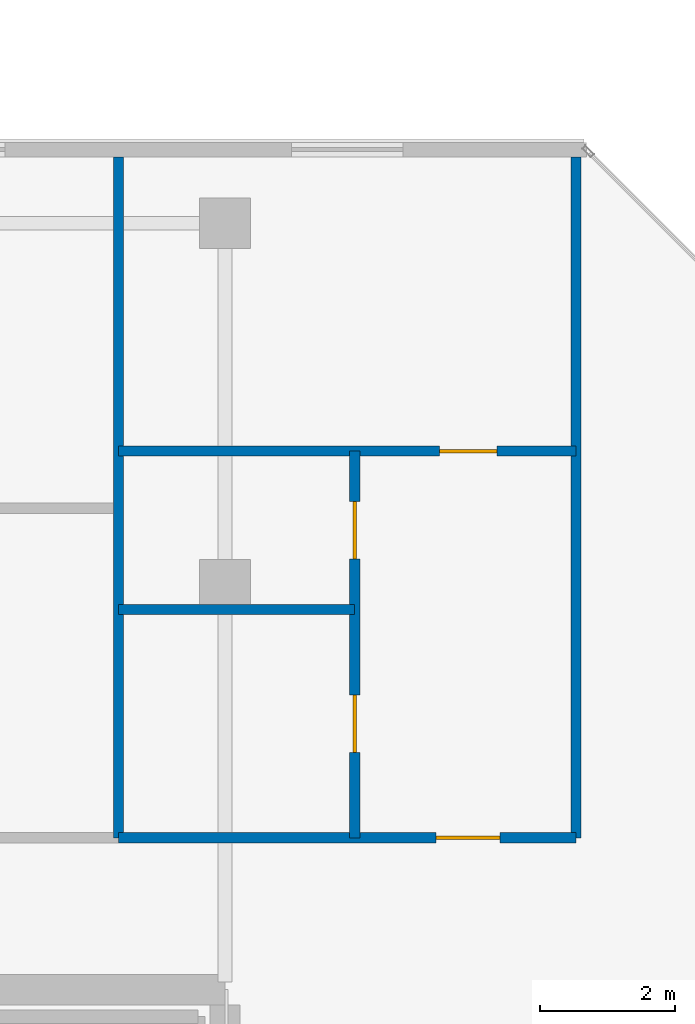
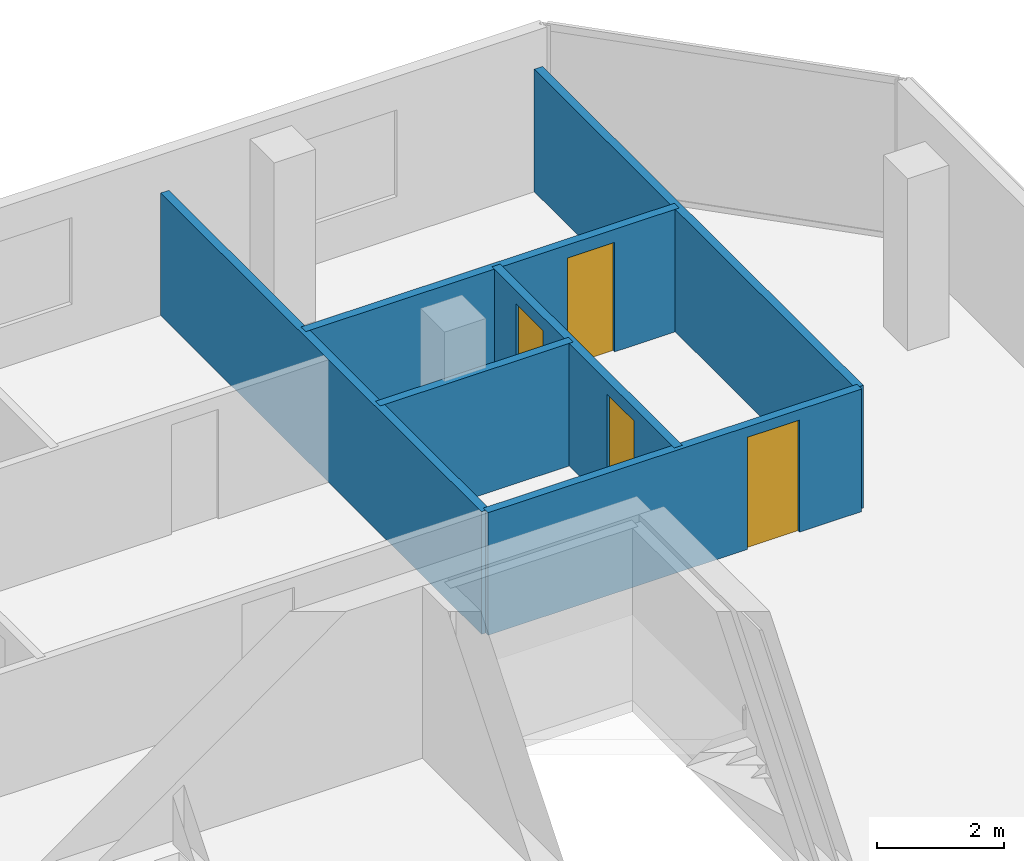
# One storey, part 23 of 28: 6 walls, 4 doors, 4 openings.
"""IFC4 building model written with IfcOpenShell, lengths in metres."""

import ifcopenshell
import ifcopenshell.guid

model = None  # the IFC model being written
_history = None  # IfcOwnerHistory: only IFC2X3 demands one
_inside = {}  # id of a spatial element -> (the spatial element, [elements in it])
_under = {}  # id of a project, library or spatial element -> (it, [spatial elements below it])
_declared = {}  # id of a project -> (the project, [libraries it declares])
_typed = {}  # id of a type object -> (the type object, [elements of that type])
_made_of = {}  # id of a material, layer set ... -> (it, [elements and type objects made of it])


def new_model(schema):
    """Start an empty IFC model of exactly this schema.

    Asked for "IFC4X3", IfcOpenShell would pick the latest addendum, in which some entities
    have other attributes; the version numbers below select the first issue.
    IFC2X3 requires an IfcOwnerHistory on every rooted entity: one is made here for all.
    """
    global model, _history
    if schema == "IFC4X3":
        model = ifcopenshell.file(schema_version=(4, 3, 0, 0))
    else:
        model = ifcopenshell.file(schema=schema)
    _inside.clear()
    _under.clear()
    _declared.clear()
    _typed.clear()
    _made_of.clear()
    _history = None
    if model.schema == "IFC2X3":
        org = make("IfcOrganization", Name="unknown")
        user = make(
            "IfcPersonAndOrganization",
            ThePerson=make("IfcPerson", FamilyName="unknown"),
            TheOrganization=org,
        )
        app = make(
            "IfcApplication",
            ApplicationDeveloper=org,
            Version="unknown",
            ApplicationFullName="unknown",
            ApplicationIdentifier="unknown",
        )
        _history = make(
            "IfcOwnerHistory",
            OwningUser=user,
            OwningApplication=app,
            ChangeAction="ADDED",
            CreationDate=0,
        )
    return model


def make(cls, **values):
    """One entity of the class cls with the attributes given. An attribute that is None is left unset."""
    return model.create_entity(
        cls, **{name: value for name, value in values.items() if value is not None}
    )


def rooted(cls, **values):
    """An entity with a GlobalId (a new one), such as an element, a storey or a relation."""
    return make(cls, GlobalId=ifcopenshell.guid.new(), OwnerHistory=_history, **values)


def si_unit(unit_type, name, prefix=None):
    """IfcSIUnit, for example si_unit("LENGTHUNIT", "METRE", prefix="MILLI")."""
    return make("IfcSIUnit", UnitType=unit_type, Prefix=prefix, Name=name)


def assignment(units):
    """IfcUnitAssignment: the units of a project."""
    return None if units is None else make("IfcUnitAssignment", Units=units)


def point(xyz):
    """IfcCartesianPoint."""
    return None if xyz is None else make("IfcCartesianPoint", Coordinates=xyz)


def direction(xyz):
    """IfcDirection."""
    return None if xyz is None else make("IfcDirection", DirectionRatios=xyz)


def frame(location, z_axis=None, x_axis=None):
    """IfcAxis2Placement3D, a coordinate frame: its origin and axes. An axis left out is left unset."""
    return make(
        "IfcAxis2Placement3D",
        Location=point(location),
        Axis=direction(z_axis),
        RefDirection=direction(x_axis),
    )


def frame_2d(location, x_axis=None):
    """IfcAxis2Placement2D, a coordinate frame in the plane: its origin and x axis."""
    return make(
        "IfcAxis2Placement2D", Location=point(location), RefDirection=direction(x_axis)
    )


def origin():
    """The frame at (0, 0, 0) with its axes left unset."""
    return frame((0.0, 0.0, 0.0))


def place(relative_to, where):
    """IfcLocalPlacement: puts the frame where relative to a parent placement (None: the world)."""
    return make(
        "IfcLocalPlacement", PlacementRelTo=relative_to, RelativePlacement=where
    )


def context(
    kind, dimensions, precision=None, world=None, true_north=None, identifier=None
):
    """IfcGeometricRepresentationContext, for example the 3D "Model" context."""
    return make(
        "IfcGeometricRepresentationContext",
        ContextIdentifier=identifier,
        ContextType=kind,
        CoordinateSpaceDimension=dimensions,
        Precision=precision,
        WorldCoordinateSystem=world,
        TrueNorth=true_north,
    )


def subcontext(parent, identifier, kind, view, scale=None):
    """IfcGeometricRepresentationSubContext, for example "Body" below "Model"."""
    return make(
        "IfcGeometricRepresentationSubContext",
        ContextIdentifier=identifier,
        ContextType=kind,
        ParentContext=parent,
        TargetScale=scale,
        TargetView=view,
    )


def project(units=None, contexts=None):
    """IfcProject with its units and contexts."""
    return rooted(
        "IfcProject",
        Name="project",
        RepresentationContexts=contexts,
        UnitsInContext=assignment(units),
    )


def spatial(cls, under=None, at=None, **own):
    """A site, building, storey or space (cls), placed at a placement, below another one or the project."""
    s = rooted(cls, ObjectPlacement=at, **own)
    if under is not None:
        _under.setdefault(under.id(), (under, []))[1].append(s)
    return s


def profile(cls, at=None, kind="AREA", **sizes):
    """A parametric profile (cls). Its sizes go by their IFC names, for example OverallWidth=200.0."""
    return make(cls, ProfileType=kind, Position=at, **sizes)


def rectangle(**sizes):
    """IfcRectangleProfileDef."""
    return profile("IfcRectangleProfileDef", **sizes)


def extrude(swept, where, along, depth):
    """IfcExtrudedAreaSolid: the profile swept, set in the frame where, extruded along a direction by depth."""
    return make(
        "IfcExtrudedAreaSolid",
        SweptArea=swept,
        Position=where,
        ExtrudedDirection=direction(along),
        Depth=depth,
    )


def shape(context_of_items, identifier, shape_type, items):
    """IfcShapeRepresentation: the items that make up one representation, for example the "Body"."""
    return make(
        "IfcShapeRepresentation",
        ContextOfItems=context_of_items,
        RepresentationIdentifier=identifier,
        RepresentationType=shape_type,
        Items=items,
    )


def material(Name=None, Category=None):
    """IfcMaterial."""
    return make("IfcMaterial", Name=Name, Category=Category)


def layer(
    of_material, thickness, ventilated=None, Name=None, Category=None, Priority=None
):
    """IfcMaterialLayer: one layer of a wall or slab, of a material (None: an air gap)."""
    return make(
        "IfcMaterialLayer",
        Material=of_material,
        LayerThickness=thickness,
        IsVentilated=ventilated,
        Name=Name,
        Category=Category,
        Priority=Priority,
    )


def layer_set(layers, Name=None):
    """IfcMaterialLayerSet."""
    return make("IfcMaterialLayerSet", MaterialLayers=layers, LayerSetName=Name)


def made_of(thing, what):
    """Note that an element or type object is made of a material, layer set ...; save() writes the relation."""
    if what is not None:
        _made_of.setdefault(what.id(), (what, []))[1].append(thing)
    return thing


def type_object(cls, material=None, **own):
    """A type object (cls), such as IfcWallType, which elements share."""
    return made_of(rooted(cls, **own), material)


def element(
    cls,
    number,
    at=None,
    inside=None,
    cuts=None,
    type_object=None,
    material=None,
    context=None,
    identifier="Body",
    shape_type=None,
    held_by="IfcProductDefinitionShape",
    body=None,
    shapes=None,
    **own,
):
    """One element of the class cls, such as IfcWall. Its Tag is "e" and its number.

    at: its placement. inside: the storey or other place that contains it. cuts: it is an
    opening in that element (IfcRelVoidsElement). A single representation is given by context,
    identifier, shape_type and body (its items); several are given by shapes. held_by: the class
    of the entity that holds the representations. save() writes the other relations.
    """
    e = rooted(cls, Tag="e%d" % number, ObjectPlacement=at, **own)
    if body is not None:
        shapes = [shape(context, identifier, shape_type, body)]
    if shapes is not None:
        e.Representation = make(held_by, Representations=shapes)
    if inside is not None:
        _inside.setdefault(inside.id(), (inside, []))[1].append(e)
    if cuts is not None:
        rooted(
            "IfcRelVoidsElement", RelatingBuildingElement=cuts, RelatedOpeningElement=e
        )
    if type_object is not None:
        _typed.setdefault(type_object.id(), (type_object, []))[1].append(e)
    return made_of(e, material)


def fill(opening, filler):
    """IfcRelFillsElement: the door or window that sits in an opening."""
    return rooted(
        "IfcRelFillsElement",
        RelatingOpeningElement=opening,
        RelatedBuildingElement=filler,
    )


def aggregate(whole, parts):
    """IfcRelAggregates: a whole, such as a stair, and the parts it consists of."""
    return rooted("IfcRelAggregates", RelatingObject=whole, RelatedObjects=parts)


def save(model, path):
    """Write the relations noted so far, then the file.

    IfcRelAggregates (storeys below a building ...), IfcRelContainedInSpatialStructure (elements
    in a storey), IfcRelDefinesByType, IfcRelAssociatesMaterial and IfcRelDeclares: one each for
    every whole, place, type object, material and project.
    """
    for whole, parts in _under.values():
        aggregate(whole, parts)
    for where, things in _inside.values():
        rooted(
            "IfcRelContainedInSpatialStructure",
            RelatedElements=things,
            RelatingStructure=where,
        )
    for kind, things in _typed.values():
        rooted("IfcRelDefinesByType", RelatedObjects=things, RelatingType=kind)
    for what, things in _made_of.values():
        rooted("IfcRelAssociatesMaterial", RelatedObjects=things, RelatingMaterial=what)
    for by, libraries in _declared.values():
        rooted("IfcRelDeclares", RelatingContext=by, RelatedDefinitions=libraries)
    model.write(path)


model = new_model("IFC4")

# Units and contexts
model_context = context("Model", 3, precision=1e-05, world=origin(), true_north=direction((0.0, 1.0)))
body_context = subcontext(model_context, "Body", "Model", "MODEL_VIEW")
ifc_project = project(units=[si_unit("LENGTHUNIT", "METRE"), si_unit("AREAUNIT", "SQUARE_METRE"), si_unit("VOLUMEUNIT", "CUBIC_METRE"), si_unit("PLANEANGLEUNIT", "RADIAN"), si_unit("MASSUNIT", "GRAM", prefix="KILO")], contexts=[model_context])

# Site, building, storey
site_placement = place(None, origin())
site = spatial("IfcSite", under=ifc_project, at=site_placement, CompositionType="ELEMENT")
building_placement = place(site_placement, origin())
building = spatial("IfcBuilding", under=site, at=building_placement, Name="Tanjung Sevakor Pilgrim Tower", CompositionType="ELEMENT")
storey_placement = place(building_placement, frame((0.0, 0.0, 222.75)))
storey = spatial("IfcBuildingStorey", under=building, at=storey_placement, Name="L62", CompositionType="ELEMENT", Elevation=222.75)

# Walls
ifc_material_1 = material(Name="Concrete C40/50", Category="concrete")
ifc_layer_1 = layer(ifc_material_1, 0.14990234375)
ifc_layer_set_1 = layer_set([ifc_layer_1], Name="WT-COMP-150")
wall_type_1 = type_object("IfcWallType", Name="WT-COMP-150", PredefinedType="SOLIDWALL", material=ifc_layer_set_1)
for number, where, z_axis, x_axis, name in (
    (1, (95.199951171875, 44.85009765625, 0.0), (0.0, 0.0, 1.0), (0.0, 1.0, 0.0), "L62 Partition IW-L62-074"),
    (2, (88.423583984375, 44.85009765625, 0.0), (0.0, 0.0, 1.0), (0.0, 1.0, 0.0), "L62 Partition IW-L62-085"),
):
    element("IfcWall", number, at=place(storey_placement, frame(where, z_axis=z_axis, x_axis=x_axis)), inside=storey, type_object=wall_type_1, Name=name, PredefinedType="SOLIDWALL", context=body_context, shape_type="SweptSolid", body=[
        extrude(rectangle(XDim=10.079833984375, YDim=0.14990234375, at=frame_2d((5.0400390625, 0.0))), origin(), (0.0, 0.0, 1.0), 2.35009765625),
    ])

# Wall, opening, door
wall_1_placement = place(storey_placement, frame((88.423583984375, 44.85009765625, 0.0), z_axis=(0.0, 0.0, 1.0), x_axis=(1.0, 0.0, 0.0)))
wall_1 = element("IfcWall", 3, at=wall_1_placement, inside=storey, type_object=wall_type_1, Name="L62 Partition IW-L62-094", PredefinedType="SOLIDWALL", context=body_context, shape_type="SweptSolid", body=[
    extrude(rectangle(XDim=6.7763671875, YDim=0.14990234375, at=frame_2d((3.38818359375, 0.0))), origin(), (0.0, 0.0, 1.0), 2.35009765625),
])
opening_1_placement = place(wall_1_placement, frame((4.701416015625, 0.0, 0.0)))
opening_1 = element("IfcOpeningElement", 4, at=opening_1_placement, cuts=wall_1, Name="Opening ID-FD2", PredefinedType="OPENING", context=body_context, shape_type="SweptSolid", body=[
    extrude(rectangle(XDim=0.949951171875, YDim=2.14990234375, at=frame_2d((0.47509765625, 1.074951171875))), frame((0.0, 0.0849609375, 0.0), z_axis=(0.0, -1.0, 0.0), x_axis=(1.0, 0.0, 0.0)), (0.0, 0.0, 1.0), 0.169921875),
])
ifc_material_2 = material(Name="Fire-Rated Timber", Category="wood")
door_type_1 = type_object("IfcDoorType", Name="DT-FIRE-950", OperationType="NOTDEFINED", PredefinedType="DOOR", material=ifc_material_2)
door_1_placement = place(opening_1_placement, origin())
door_1 = element("IfcDoor", 5, at=door_1_placement, inside=storey, type_object=door_type_1, Name="Residence Entrance", OperationType="SINGLE_SWING_LEFT", OverallHeight=2.14990234375, OverallWidth=0.949951171875, PredefinedType="DOOR", context=body_context, shape_type="SweptSolid", body=[
    extrude(rectangle(XDim=0.949951171875, YDim=2.14990234375, at=frame_2d((0.47509765625, 1.074951171875))), frame((0.0, 0.02490234375, 0.0), z_axis=(0.0, -1.0, 0.0), x_axis=(1.0, 0.0, 0.0)), (0.0, 0.0, 1.0), 0.050048828125),
])
fill(opening_1, door_1)

# Wall
ifc_material_3 = material(Name="Gypsum Board Partition", Category="gypsum board")
ifc_layer_2 = layer(ifc_material_3, 0.14990234375)
ifc_layer_set_2 = layer_set([ifc_layer_2], Name="WT-PART-150")
wall_type_2 = type_object("IfcWallType", Name="WT-PART-150", PredefinedType="PARTITIONING", material=ifc_layer_set_2)
wall_2_placement = place(storey_placement, frame((88.423583984375, 48.228759765625, 0.0), z_axis=(0.0, 0.0, 1.0), x_axis=(1.0, 0.0, 0.0)))
element("IfcWall", 6, at=wall_2_placement, inside=storey, type_object=wall_type_2, Name="L62 Partition IW-L62-091", PredefinedType="PARTITIONING", context=body_context, shape_type="SweptSolid", body=[
    extrude(rectangle(XDim=3.496337890625, YDim=0.14990234375, at=frame_2d((1.748046875, 0.0))), origin(), (0.0, 0.0, 1.0), 2.35009765625),
])

# Wall, openings, doors
wall_3_placement = place(storey_placement, frame((91.919921875, 44.85009765625, 0.0), z_axis=(0.0, 0.0, 1.0), x_axis=(0.0, 1.0, 0.0)))
wall_3 = element("IfcWall", 7, at=wall_3_placement, inside=storey, type_object=wall_type_2, Name="L62 Partition IW-L62-092", PredefinedType="PARTITIONING", context=body_context, shape_type="SweptSolid", body=[
    extrude(rectangle(XDim=5.7265625, YDim=0.14990234375, at=frame_2d((2.86328125, 0.0))), origin(), (0.0, 0.0, 1.0), 2.35009765625),
])
opening_2_placement = place(wall_3_placement, frame((1.264404296875, 0.0, 0.0)))
opening_2 = element("IfcOpeningElement", 8, at=opening_2_placement, cuts=wall_3, Name="Opening ID-WC1", PredefinedType="OPENING", context=body_context, shape_type="SweptSolid", body=[
    extrude(rectangle(XDim=0.85009765625, YDim=2.10009765625, at=frame_2d((0.425048828125, 1.050048828125))), frame((0.0, 0.0849609375, 0.0), z_axis=(0.0, -1.0, 0.0), x_axis=(1.0, 0.0, 0.0)), (0.0, 0.0, 1.0), 0.169921875),
])
opening_3_placement = place(wall_3_placement, frame((4.127685546875, 0.0, 0.0)))
opening_3 = element("IfcOpeningElement", 9, at=opening_3_placement, cuts=wall_3, Name="Opening ID-WC1", PredefinedType="OPENING", context=body_context, shape_type="SweptSolid", body=[
    extrude(rectangle(XDim=0.85009765625, YDim=2.10009765625, at=frame_2d((0.425048828125, 1.050048828125))), frame((0.0, 0.0849609375, 0.0), z_axis=(0.0, -1.0, 0.0), x_axis=(1.0, 0.0, 0.0)), (0.0, 0.0, 1.0), 0.169921875),
])
ifc_material_4 = material(Name="Moisture-Resistant Timber", Category="wood")
door_type_2 = type_object("IfcDoorType", Name="DT-INT-850", OperationType="NOTDEFINED", PredefinedType="DOOR", material=ifc_material_4)
door_2_placement = place(opening_2_placement, origin())
door_2 = element("IfcDoor", 10, at=door_2_placement, inside=storey, type_object=door_type_2, Name="Residence Kitchenette Door", OperationType="SINGLE_SWING_RIGHT", OverallHeight=2.10009765625, OverallWidth=0.85009765625, PredefinedType="DOOR", context=body_context, shape_type="SweptSolid", body=[
    extrude(rectangle(XDim=0.85009765625, YDim=2.10009765625, at=frame_2d((0.425048828125, 1.050048828125))), frame((0.0, 0.02490234375, 0.0), z_axis=(0.0, -1.0, 0.0), x_axis=(1.0, 0.0, 0.0)), (0.0, 0.0, 1.0), 0.050048828125),
])
fill(opening_2, door_2)
door_3_placement = place(opening_3_placement, origin())
door_3 = element("IfcDoor", 11, at=door_3_placement, inside=storey, type_object=door_type_2, Name="Residence Bathroom Door", OperationType="SINGLE_SWING_LEFT", OverallHeight=2.10009765625, OverallWidth=0.85009765625, PredefinedType="DOOR", context=body_context, shape_type="SweptSolid", body=[
    extrude(rectangle(XDim=0.85009765625, YDim=2.10009765625, at=frame_2d((0.425048828125, 1.050048828125))), frame((0.0, 0.02490234375, 0.0), z_axis=(0.0, -1.0, 0.0), x_axis=(1.0, 0.0, 0.0)), (0.0, 0.0, 1.0), 0.050048828125),
])
fill(opening_3, door_3)

# Wall, opening, door
wall_4_placement = place(storey_placement, frame((88.423583984375, 50.57666015625, 0.0), z_axis=(0.0, 0.0, 1.0), x_axis=(1.0, 0.0, 0.0)))
wall_4 = element("IfcWall", 12, at=wall_4_placement, inside=storey, type_object=wall_type_2, Name="L62 Partition IW-L62-093", PredefinedType="PARTITIONING", context=body_context, shape_type="SweptSolid", body=[
    extrude(rectangle(XDim=6.7763671875, YDim=0.14990234375, at=frame_2d((3.38818359375, 0.0))), origin(), (0.0, 0.0, 1.0), 2.35009765625),
])
opening_4_placement = place(wall_4_placement, frame((4.75146484375, 0.0, 0.0)))
opening_4 = element("IfcOpeningElement", 13, at=opening_4_placement, cuts=wall_4, Name="Opening ID-WC1", PredefinedType="OPENING", context=body_context, shape_type="SweptSolid", body=[
    extrude(rectangle(XDim=0.85009765625, YDim=2.10009765625, at=frame_2d((0.425048828125, 1.050048828125))), frame((0.0, 0.0849609375, 0.0), z_axis=(0.0, -1.0, 0.0), x_axis=(1.0, 0.0, 0.0)), (0.0, 0.0, 1.0), 0.169921875),
])
door_4_placement = place(opening_4_placement, origin())
door_4 = element("IfcDoor", 14, at=door_4_placement, inside=storey, type_object=door_type_2, Name="Residence Bedroom Door", OperationType="SINGLE_SWING_RIGHT", OverallHeight=2.10009765625, OverallWidth=0.85009765625, PredefinedType="DOOR", context=body_context, shape_type="SweptSolid", body=[
    extrude(rectangle(XDim=0.85009765625, YDim=2.10009765625, at=frame_2d((0.425048828125, 1.050048828125))), frame((0.0, 0.02490234375, 0.0), z_axis=(0.0, -1.0, 0.0), x_axis=(1.0, 0.0, 0.0)), (0.0, 0.0, 1.0), 0.050048828125),
])
fill(opening_4, door_4)

save(model, "model.ifc")
